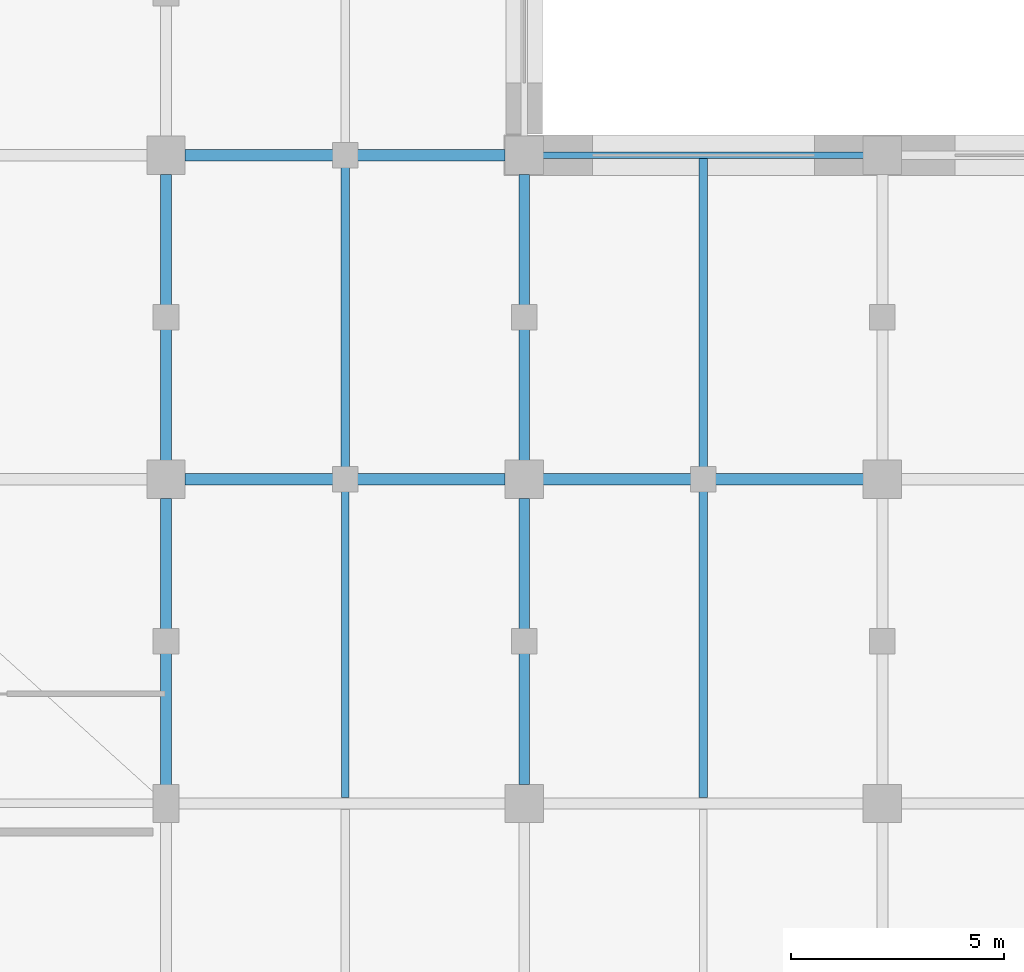
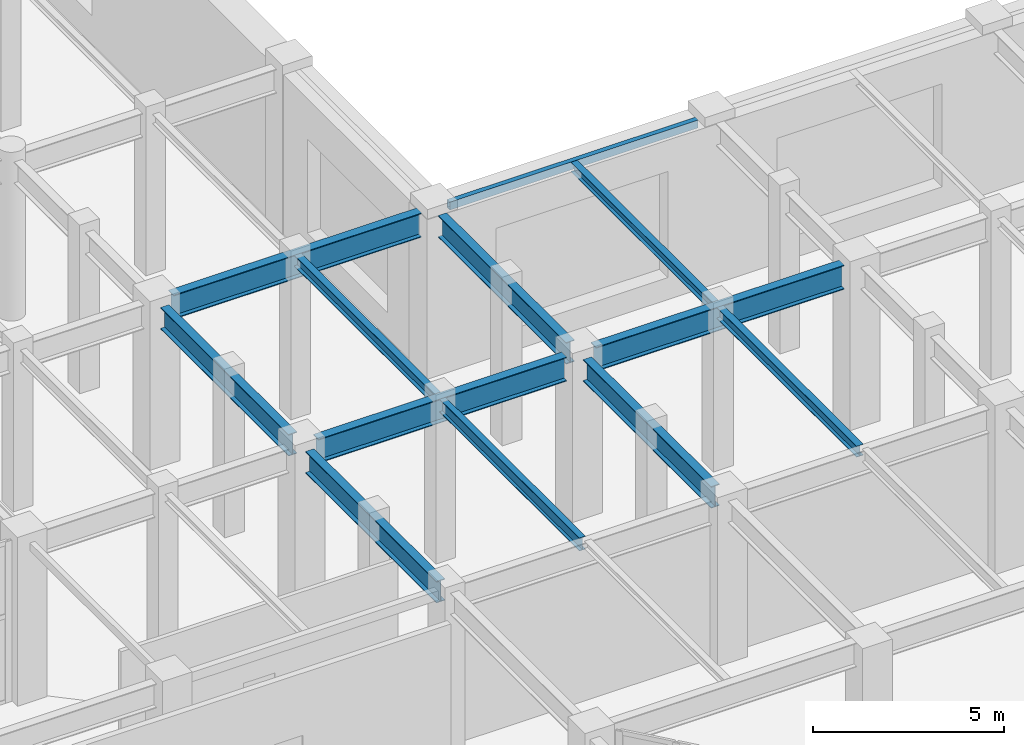
# One storey, part 26 of 139: 12 beams.
"""IFC4 building model written with IfcOpenShell, lengths in metres."""

from ifc_helpers import new_model, si_unit, direction, frame, origin, origin_2d, place, context, subcontext, project, spatial, hollow_rectangle, i_section, extrude, material, material_profile, profile_set, type_object, element, save


model = new_model("IFC4")

# Units and contexts
model_context = context("Model", 3, precision=1e-05, world=origin(), true_north=direction((0.0, 1.0)))
body_context = subcontext(model_context, "Body", "Model", "MODEL_VIEW")
ifc_project = project(units=[si_unit("LENGTHUNIT", "METRE"), si_unit("AREAUNIT", "SQUARE_METRE"), si_unit("VOLUMEUNIT", "CUBIC_METRE"), si_unit("PLANEANGLEUNIT", "RADIAN"), si_unit("MASSUNIT", "GRAM", prefix="KILO")], contexts=[model_context])

# Site, building, storey
site_placement = place(None, origin())
site = spatial("IfcSite", under=ifc_project, at=site_placement, CompositionType="ELEMENT")
building_placement = place(site_placement, origin())
building = spatial("IfcBuilding", under=site, at=building_placement, Name="Xicomal Pleat Aquarium", CompositionType="ELEMENT")
storey_placement = place(building_placement, origin())
storey = spatial("IfcBuildingStorey", under=building, at=storey_placement, Name="L01", CompositionType="ELEMENT", Elevation=0.0)

# Beams
ifc_material_1 = material(Name="Structural steel A992 Gr 50", Category="steel")
ifc_material_profile_1 = material_profile(ifc_material_1, i_section(OverallWidth=0.202880859375, OverallDepth=0.302978515625, WebThickness=0.007568359375, FlangeThickness=0.01318359375, at=origin_2d()), Name="IR 310x60")
ifc_profile_set_1 = profile_set([ifc_material_profile_1], Name="Structural steel A992 Gr 50")
beam_type_1 = type_object("IfcBeamType", Name="BM-STL-IR310", PredefinedType="JOIST", material=ifc_profile_set_1)
beam_1_placement = place(storey_placement, frame((64.800048828125, 38.136962890625, 4.948486328125), z_axis=(0.0, 1.0, 0.0), x_axis=(-1.0, 0.0, 0.0)))
element("IfcBeam", 1, at=beam_1_placement, inside=storey, type_object=beam_type_1, Name="L01 framing beam FBJ-L01-08-F-1", PredefinedType="JOIST", context=body_context, shape_type="SweptSolid", body=[
    extrude(i_section(OverallWidth=0.202880859375, OverallDepth=0.302978515625, WebThickness=0.007568359375, FlangeThickness=0.01318359375, at=origin_2d()), origin(), (0.0, 0.0, 1.0), 7.385009765625),
])
ifc_material_2 = material(Name="Structural steel A992 Gr 50", Category="steel")
ifc_material_profile_2 = material_profile(ifc_material_2, i_section(OverallWidth=0.205078125, OverallDepth=0.35400390625, WebThickness=0.009521484375, FlangeThickness=0.016845703125, at=origin_2d()), Name="IR 360x79")
ifc_profile_set_2 = profile_set([ifc_material_profile_2], Name="Structural steel A992 Gr 50")
beam_type_2 = type_object("IfcBeamType", Name="BM-STL-IR360", PredefinedType="JOIST", material=ifc_profile_set_2)
for number, where, z_axis, x_axis, name in (
    (2, (56.39990234375, 38.136962890625, 4.923095703125), (0.0, 1.0, 0.0), (-1.0, 0.0, 0.0), "L01 framing beam FBJ-L01-07-F-1"),
    (3, (64.800048828125, 30.537109375, 4.923095703125), (0.0, 1.0, 0.0), (-1.0, 0.0, 0.0), "L01 framing beam FBJ-L01-08-E-1"),
):
    element("IfcBeam", number, at=place(storey_placement, frame(where, z_axis=z_axis, x_axis=x_axis)), inside=storey, type_object=beam_type_2, Name=name, PredefinedType="JOIST", context=body_context, shape_type="SweptSolid", body=[
        extrude(i_section(OverallWidth=0.205078125, OverallDepth=0.35400390625, WebThickness=0.009521484375, FlangeThickness=0.016845703125, at=origin_2d()), origin(), (0.0, 0.0, 1.0), 7.325927734375),
    ])
ifc_material_3 = material(Name="Structural steel A992 Gr 50", Category="steel")
ifc_material_profile_3 = material_profile(ifc_material_3, i_section(OverallWidth=0.180908203125, OverallDepth=0.4169921875, WebThickness=0.010986328125, FlangeThickness=0.018310546875, at=origin_2d()), Name="IR 410x85")
ifc_profile_set_3 = profile_set([ifc_material_profile_3], Name="Structural steel A992 Gr 50")
beam_type_3 = type_object("IfcBeamType", Name="BM-STL-IR410", PredefinedType="JOIST", material=ifc_profile_set_3)
beam_2_placement = place(storey_placement, frame((56.39990234375, 30.537109375, 4.8916015625), z_axis=(0.0, 1.0, 0.0), x_axis=(-1.0, 0.0, 0.0)))
element("IfcBeam", 4, at=beam_2_placement, inside=storey, type_object=beam_type_3, Name="L01 framing beam FBJ-L01-07-E-1", PredefinedType="JOIST", context=body_context, shape_type="SweptSolid", body=[
    extrude(i_section(OverallWidth=0.180908203125, OverallDepth=0.4169921875, WebThickness=0.010986328125, FlangeThickness=0.018310546875, at=origin_2d()), origin(), (0.0, 0.0, 1.0), 7.325927734375),
])
ifc_material_4 = material(Name="Structural steel A992 Gr 50", Category="steel")
ifc_material_profile_4 = material_profile(ifc_material_4, i_section(OverallWidth=0.256103515625, OverallDepth=0.693115234375, WebThickness=0.014404296875, FlangeThickness=0.023681640625, at=origin_2d()), Name="IR 690x170")
ifc_profile_set_4 = profile_set([ifc_material_profile_4], Name="Structural steel A992 Gr 50")
beam_type_4 = type_object("IfcBeamType", Name="BM-STL-IR690", PredefinedType="BEAM", material=ifc_profile_set_4)
beam_3_placement = place(storey_placement, frame((52.199951171875, 30.695068359375, 4.75341796875), z_axis=(0.0, 1.0, 0.0), x_axis=(-1.0, 0.0, 0.0)))
element("IfcBeam", 5, at=beam_3_placement, inside=storey, type_object=beam_type_4, Name="L01 framing beam FGY-L01-07-E-F", PredefinedType="BEAM", context=body_context, shape_type="SweptSolid", body=[
    extrude(i_section(OverallWidth=0.256103515625, OverallDepth=0.693115234375, WebThickness=0.014404296875, FlangeThickness=0.023681640625, at=origin_2d()), origin(), (0.0, 0.0, 1.0), 6.85986328125),
])
for number, where, z_axis, x_axis, name in (
    (6, (52.199951171875, 38.445068359375, 4.75341796875), (0.0, 1.0, 0.0), (-1.0, 0.0, 0.0), "L01 framing beam FGY-L01-07-F-G"),
    (7, (60.60009765625, 30.844970703125, 4.75341796875), (0.0, 1.0, 0.0), (-1.0, 0.0, 0.0), "L01 framing beam FGY-L01-08-E-F"),
    (8, (60.60009765625, 38.445068359375, 4.75341796875), (0.0, 1.0, 0.0), (-1.0, 0.0, 0.0), "L01 framing beam FGY-L01-08-F-G"),
):
    element("IfcBeam", number, at=place(storey_placement, frame(where, z_axis=z_axis, x_axis=x_axis)), inside=storey, type_object=beam_type_4, Name=name, PredefinedType="BEAM", context=body_context, shape_type="SweptSolid", body=[
        extrude(i_section(OverallWidth=0.256103515625, OverallDepth=0.693115234375, WebThickness=0.014404296875, FlangeThickness=0.023681640625, at=origin_2d()), origin(), (0.0, 0.0, 1.0), 6.7099609375),
    ])
ifc_material_5 = material(Name="Structural steel A992 Gr 50", Category="steel")
ifc_material_profile_5 = material_profile(ifc_material_5, i_section(OverallWidth=0.26806640625, OverallDepth=0.77001953125, WebThickness=0.015625, FlangeThickness=0.025390625, at=origin_2d()), Name="IR 760x196")
ifc_profile_set_5 = profile_set([ifc_material_profile_5], Name="Structural steel A992 Gr 50")
beam_type_5 = type_object("IfcBeamType", Name="BM-STL-IR760", PredefinedType="BEAM", material=ifc_profile_set_5)
for number, where, z_axis, x_axis, name in (
    (9, (52.64501953125, 38.0, 4.715087890625), (1.0, 0.0, 0.0), (0.0, 1.0, 0.0), "L01 framing beam FGX-L01-07-08-F"),
    (10, (61.044921875, 38.0, 4.715087890625), (1.0, 0.0, 0.0), (0.0, 1.0, 0.0), "L01 framing beam FGX-L01-08-09-F"),
    (11, (52.64501953125, 45.60009765625, 4.715087890625), (1.0, 0.0, 0.0), (0.0, 1.0, 0.0), "L01 framing beam FGX-L01-07-08-G"),
):
    element("IfcBeam", number, at=place(storey_placement, frame(where, z_axis=z_axis, x_axis=x_axis)), inside=storey, type_object=beam_type_5, Name=name, PredefinedType="BEAM", context=body_context, shape_type="SweptSolid", body=[
        extrude(i_section(OverallWidth=0.26806640625, OverallDepth=0.77001953125, WebThickness=0.015625, FlangeThickness=0.025390625, at=origin_2d()), origin(), (0.0, 0.0, 1.0), 7.510009765625),
    ])
ifc_material_6 = material(Name="Structural steel A500 Gr C", Category="steel")
ifc_material_profile_6 = material_profile(ifc_material_6, hollow_rectangle(XDim=0.14990234375, YDim=0.25, WallThickness=0.010009765625, at=origin_2d()), Name="OR 250x150x10")
ifc_profile_set_6 = profile_set([ifc_material_profile_6], Name="Structural steel A500 Gr C")
beam_type_6 = type_object("IfcBeamType", Name="BM-STL-OR250", PredefinedType="SPANDREL", material=ifc_profile_set_6)
beam_4_placement = place(storey_placement, frame((61.044921875, 45.60009765625, 4.97509765625), z_axis=(1.0, 0.0, 0.0), x_axis=(0.0, 1.0, 0.0)))
element("IfcBeam", 12, at=beam_4_placement, inside=storey, type_object=beam_type_6, Name="L01 framing beam FGX-L01-08-09-G", PredefinedType="SPANDREL", context=body_context, shape_type="SweptSolid", body=[
    extrude(hollow_rectangle(XDim=0.14990234375, YDim=0.25, WallThickness=0.010009765625, at=origin_2d()), origin(), (0.0, 0.0, 1.0), 7.510009765625),
])

save(model, "model.ifc")
